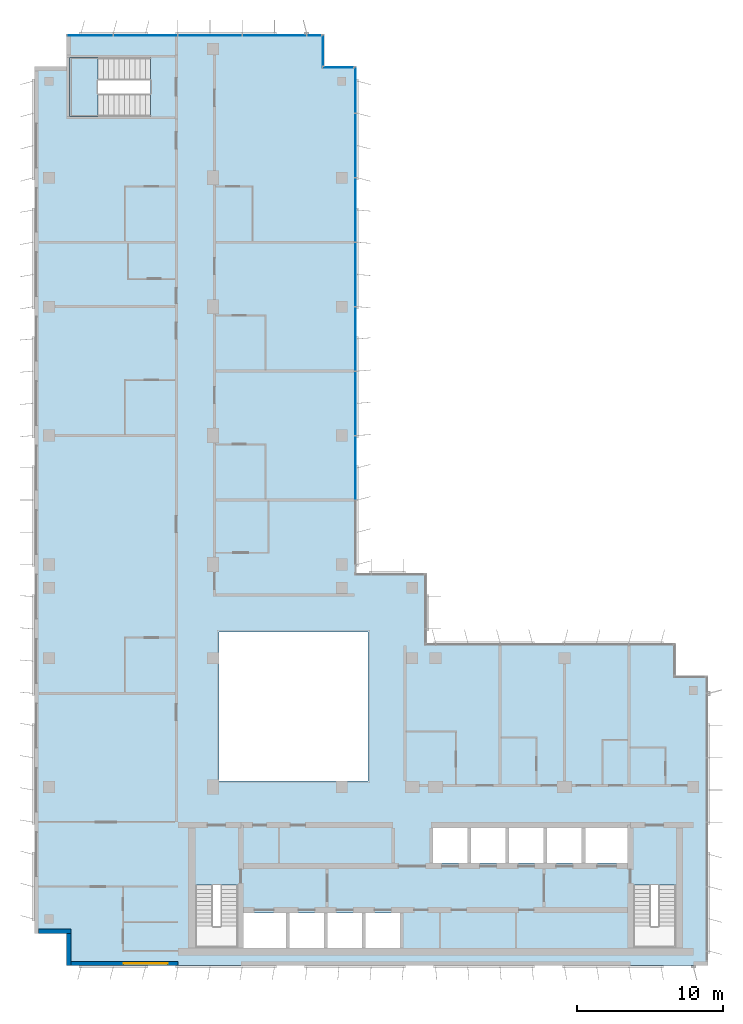
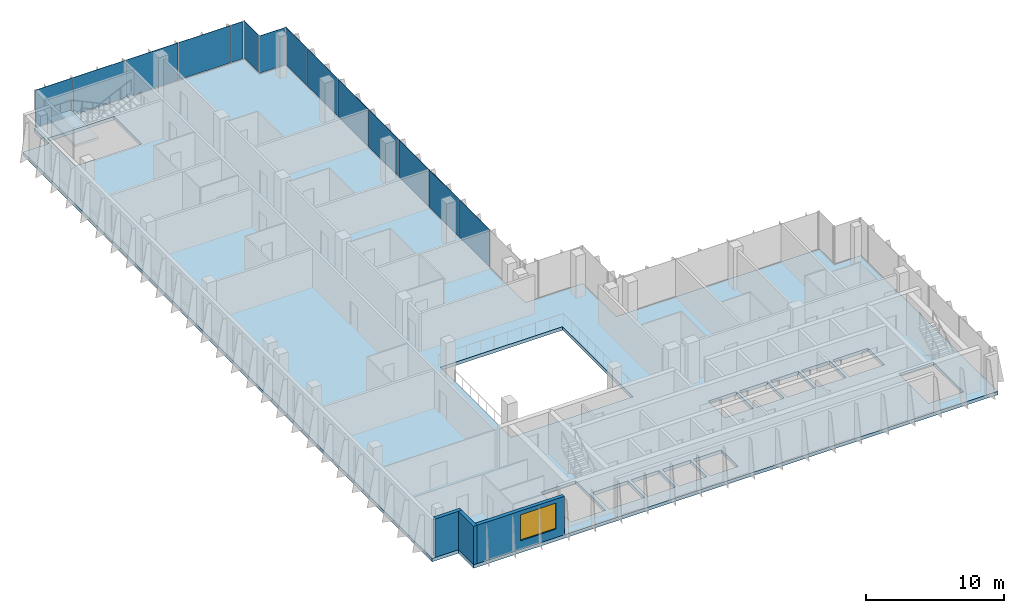
# One storey, part 8 of 15: 14 plates, 3 walls, 2 slabs, 1 window, 1 opening, 5 elements without a shape of their own.
"""IFC4 building model written with IfcOpenShell, lengths in metres."""

from ifc_helpers import new_model, si_unit, direction, frame, frame_2d, origin, origin_2d, place, context, subcontext, project, spatial, polyline, rectangle, outline, extrude, source, transform, mapped, material, layer, layer_set, type_object, element, fill, aggregate, save


model = new_model("IFC4")

# Units and contexts
model_context = context("Model", 3, precision=1e-05, world=origin(), true_north=direction((0.0, 1.0)))
body_context = subcontext(model_context, "Body", "Model", "MODEL_VIEW")
ifc_project = project(units=[si_unit("LENGTHUNIT", "METRE"), si_unit("AREAUNIT", "SQUARE_METRE"), si_unit("VOLUMEUNIT", "CUBIC_METRE"), si_unit("PLANEANGLEUNIT", "RADIAN"), si_unit("MASSUNIT", "GRAM", prefix="KILO")], contexts=[model_context])

# Site, building, storey
site_placement = place(None, origin())
site = spatial("IfcSite", under=ifc_project, at=site_placement, CompositionType="ELEMENT")
building_placement = place(site_placement, origin())
building = spatial("IfcBuilding", under=site, at=building_placement, Name="Kemantara Hotel Tower", CompositionType="ELEMENT")
storey_placement = place(building_placement, frame((0.0, 0.0, 290.699951171875)))
storey = spatial("IfcBuildingStorey", under=building, at=storey_placement, Name="L73", CompositionType="ELEMENT", Elevation=290.699951171875)

# Slab
ifc_material_1 = material(Name="Concrete fc 40 MPa", Category="concrete")
ifc_layer_1 = layer(ifc_material_1, 0.300048828125)
ifc_layer_set_1 = layer_set([ifc_layer_1], Name="Concrete fc 40 MPa")
slab_type_1 = type_object("IfcSlabType", Name="POST-TENSIONED FLAT PLATE 300", PredefinedType="FLOOR", material=ifc_layer_set_1)
slab_1_placement = place(storey_placement, frame((0.0, 0.0, -0.300048828125)))
element("IfcSlab", 1, at=slab_1_placement, inside=storey, type_object=slab_type_1, Name="FLOOR SLAB L73", PredefinedType="FLOOR", context=body_context, shape_type="SweptSolid", body=[
    extrude(outline(polyline([(22.0, 26.800048828125), (22.0, 61.39990234375), (19.800048828125, 61.39990234375), (19.800048828125, 63.60009765625), (2.199951171875, 63.60009765625), (2.199951171875, 61.39990234375), (0.0, 61.39990234375), (0.0, 2.199951171875), (2.199951171875, 2.199951171875), (2.199951171875, 0.0), (46.0, 0.0), (46.0, 19.800048828125), (43.800048828125, 19.800048828125), (43.800048828125, 22.0), (26.800048828125, 22.0), (26.800048828125, 26.800048828125), (22.0, 26.800048828125)]), holes=[polyline([(17.175048828125, 3.60009765625), (17.175048828125, 1.199951171875), (14.22509765625, 1.199951171875), (14.22509765625, 3.60009765625), (17.175048828125, 3.60009765625)]), polyline([(19.77490234375, 1.199951171875), (17.425048828125, 1.199951171875), (17.425048828125, 3.60009765625), (19.77490234375, 3.60009765625), (19.77490234375, 1.199951171875)]), polyline([(22.375, 1.199951171875), (20.02490234375, 1.199951171875), (20.02490234375, 3.60009765625), (22.375, 3.60009765625), (22.375, 1.199951171875)]), polyline([(24.97509765625, 3.60009765625), (24.97509765625, 1.199951171875), (22.625, 1.199951171875), (22.625, 3.60009765625), (24.97509765625, 3.60009765625)]), polyline([(11.0, 1.199951171875), (11.0, 5.49951171875), (13.89990234375, 5.49951171875), (13.89990234375, 1.199951171875), (11.0, 1.199951171875)]), polyline([(22.800048828125, 12.60009765625), (12.60009765625, 12.60009765625), (12.60009765625, 22.800048828125), (22.800048828125, 22.800048828125), (22.800048828125, 12.60009765625)]), polyline([(2.39990234375, 58.0), (2.39990234375, 62.0), (7.949462890625, 62.0), (7.949462890625, 58.0), (2.39990234375, 58.0)]), polyline([(40.89990234375, 1.199951171875), (40.89990234375, 5.49951171875), (43.800048828125, 5.49951171875), (43.800048828125, 1.199951171875), (40.89990234375, 1.199951171875)]), polyline([(29.574951171875, 7.0), (27.22509765625, 7.0), (27.22509765625, 9.39990234375), (29.574951171875, 9.39990234375), (29.574951171875, 7.0)]), polyline([(32.175048828125, 7.0), (29.824951171875, 7.0), (29.824951171875, 9.39990234375), (32.175048828125, 9.39990234375), (32.175048828125, 7.0)]), polyline([(34.77490234375, 7.0), (32.425048828125, 7.0), (32.425048828125, 9.39990234375), (34.77490234375, 9.39990234375), (34.77490234375, 7.0)]), polyline([(37.375, 7.0), (35.02490234375, 7.0), (35.02490234375, 9.39990234375), (37.375, 9.39990234375), (37.375, 7.0)]), polyline([(40.574951171875, 7.0), (37.625, 7.0), (37.625, 9.39990234375), (40.574951171875, 9.39990234375), (40.574951171875, 7.0)])]), origin(), (0.0, 0.0, 1.0), 0.300048828125),
])

# Stair, slab
stair_type = type_object("IfcStairType", Name="Stair 1550 wide 22 risers of 168 x 360 mm", PredefinedType="HALF_TURN_STAIR", material=ifc_material_1)
stair_placement = place(storey_placement, origin())
stair = element("IfcStair", 2, at=stair_placement, inside=storey, type_object=stair_type, Name="L73 Exit stair ST4", PredefinedType="HALF_TURN_STAIR")
ifc_layer_2 = layer(ifc_material_1, 0.199951171875)
ifc_layer_set_2 = layer_set([ifc_layer_2], Name="Concrete fc 40 MPa")
slab_type_2 = type_object("IfcSlabType", Name="Stair landing 200 mm", PredefinedType="LANDING", material=ifc_layer_set_2)
slab_2_placement = place(storey_placement, frame((0.0, 0.0, 1.650146484375)))
slab_2 = element("IfcSlab", 3, at=slab_2_placement, type_object=slab_type_2, Name="ST4 landing 1", PredefinedType="LANDING", context=body_context, shape_type="SweptSolid", body=[
    extrude(outline(polyline([(4.35009765625, 62.0), (2.39990234375, 62.0), (2.39990234375, 58.0), (4.35009765625, 58.0), (4.35009765625, 62.0)])), origin(), (0.0, 0.0, 1.0), 0.199951171875),
])
aggregate(stair, [slab_2])

# Curtain wall, plates
ifc_material_2 = material(Name="Low-E tinted double insulated glass 36 mm", Category="glass")
curtain_wall_type = type_object("IfcCurtainWallType", Name="TOWER CURTAIN WALL, FRONT FACES", PredefinedType="USERDEFINED", material=ifc_material_2)
curtain_wall_1_placement = place(storey_placement, origin())
curtain_wall_1 = element("IfcCurtainWall", 4, at=curtain_wall_1_placement, inside=storey, type_object=curtain_wall_type, Name="CW4 L73 T4-R02-1", ObjectType="TOWER CURTAIN WALL, FRONT FACES", PredefinedType="USERDEFINED")
ifc_layer_3 = layer(ifc_material_2, 0.035888671875)
ifc_layer_set_3 = layer_set([ifc_layer_3], Name="Low-E tinted double insulated glass 36 mm")
plate_type = type_object("IfcPlateType", Name="TOWER CURTAIN WALL, FRONT FACES PANEL", PredefinedType="CURTAIN_PANEL", material=ifc_layer_set_3)
shared_shape_1 = source(origin(), body_context, "Body", "SweptSolid", [
    extrude(rectangle(XDim=4.340087890625, YDim=0.035888671875, at=origin_2d()), origin(), (0.0, 0.0, 1.0), 3.280029296875),
])
plate_1_placement = place(storey_placement, frame((16.39990234375, 63.52490234375, 0.1201171875), z_axis=(0.0, 0.0, 1.0), x_axis=(-1.0, 0.0, 0.0)))
plate_1 = element("IfcPlate", 5, at=plate_1_placement, type_object=plate_type, Name="CW4 glass panel T4-R02-1.2", PredefinedType="CURTAIN_PANEL", context=body_context, shape_type="MappedRepresentation", body=[
    mapped(shared_shape_1, transform((0.0, 0.0, 0.0))),
])
plate_2_placement = place(storey_placement, frame((12.0, 63.52490234375, 0.1201171875), z_axis=(0.0, 0.0, 1.0), x_axis=(-1.0, 0.0, 0.0)))
plate_2 = element("IfcPlate", 6, at=plate_2_placement, type_object=plate_type, Name="CW4 glass panel T4-R02-1.3", PredefinedType="CURTAIN_PANEL", context=body_context, shape_type="MappedRepresentation", body=[
    mapped(shared_shape_1, transform((0.0, 0.0, 0.0))),
])
plate_3_placement = place(storey_placement, frame((7.60009765625, 63.52490234375, 0.1201171875), z_axis=(0.0, 0.0, 1.0), x_axis=(-1.0, 0.0, 0.0)))
plate_3 = element("IfcPlate", 7, at=plate_3_placement, type_object=plate_type, Name="CW4 glass panel T4-R02-1.4", PredefinedType="CURTAIN_PANEL", context=body_context, shape_type="MappedRepresentation", body=[
    mapped(shared_shape_1, transform((0.0, 0.0, 0.0))),
])

curtain_wall_2_placement = place(storey_placement, origin())
curtain_wall_2 = element("IfcCurtainWall", 8, at=curtain_wall_2_placement, inside=storey, type_object=curtain_wall_type, Name="CW4 L73 T4-R15-1", ObjectType="TOWER CURTAIN WALL, FRONT FACES", PredefinedType="USERDEFINED")
plate_4_placement = place(storey_placement, frame((21.925048828125, 34.0, 0.1201171875), z_axis=(0.0, 0.0, 1.0), x_axis=(0.0, 1.0, 0.0)))
plate_4 = element("IfcPlate", 9, at=plate_4_placement, type_object=plate_type, Name="CW4 glass panel T4-R15-1.3", PredefinedType="CURTAIN_PANEL", context=body_context, shape_type="MappedRepresentation", body=[
    mapped(shared_shape_1, transform((0.0, 0.0, 0.0))),
])
plate_5_placement = place(storey_placement, frame((21.925048828125, 38.39990234375, 0.1201171875), z_axis=(0.0, 0.0, 1.0), x_axis=(0.0, 1.0, 0.0)))
plate_5 = element("IfcPlate", 10, at=plate_5_placement, type_object=plate_type, Name="CW4 glass panel T4-R15-1.4", PredefinedType="CURTAIN_PANEL", context=body_context, shape_type="MappedRepresentation", body=[
    mapped(shared_shape_1, transform((0.0, 0.0, 0.0))),
])
plate_6_placement = place(storey_placement, frame((21.925048828125, 42.800048828125, 0.1201171875), z_axis=(0.0, 0.0, 1.0), x_axis=(0.0, 1.0, 0.0)))
plate_6 = element("IfcPlate", 11, at=plate_6_placement, type_object=plate_type, Name="CW4 glass panel T4-R15-1.5", PredefinedType="CURTAIN_PANEL", context=body_context, shape_type="MappedRepresentation", body=[
    mapped(shared_shape_1, transform((0.0, 0.0, 0.0))),
])
plate_7_placement = place(storey_placement, frame((21.925048828125, 47.199951171875, 0.1201171875), z_axis=(0.0, 0.0, 1.0), x_axis=(0.0, 1.0, 0.0)))
plate_7 = element("IfcPlate", 12, at=plate_7_placement, type_object=plate_type, Name="CW4 glass panel T4-R15-1.6", PredefinedType="CURTAIN_PANEL", context=body_context, shape_type="MappedRepresentation", body=[
    mapped(shared_shape_1, transform((0.0, 0.0, 0.0))),
])
plate_8_placement = place(storey_placement, frame((21.925048828125, 51.60009765625, 0.1201171875), z_axis=(0.0, 0.0, 1.0), x_axis=(0.0, 1.0, 0.0)))
plate_8 = element("IfcPlate", 13, at=plate_8_placement, type_object=plate_type, Name="CW4 glass panel T4-R15-1.7", PredefinedType="CURTAIN_PANEL", context=body_context, shape_type="MappedRepresentation", body=[
    mapped(shared_shape_1, transform((0.0, 0.0, 0.0))),
])
plate_9_placement = place(storey_placement, frame((21.925048828125, 56.0, 0.1201171875), z_axis=(0.0, 0.0, 1.0), x_axis=(0.0, 1.0, 0.0)))
plate_9 = element("IfcPlate", 14, at=plate_9_placement, type_object=plate_type, Name="CW4 glass panel T4-R15-1.8", PredefinedType="CURTAIN_PANEL", context=body_context, shape_type="MappedRepresentation", body=[
    mapped(shared_shape_1, transform((0.0, 0.0, 0.0))),
])

# Plate
shared_shape_2 = source(origin(), body_context, "Body", "SweptSolid", [
    extrude(rectangle(XDim=3.110107421875, YDim=0.035888671875, at=origin_2d()), origin(), (0.0, 0.0, 1.0), 3.280029296875),
])
plate_10_placement = place(storey_placement, frame((3.81494140625, 63.52490234375, 0.1201171875), z_axis=(0.0, 0.0, 1.0), x_axis=(-1.0, 0.0, 0.0)))
plate_10 = element("IfcPlate", 15, at=plate_10_placement, type_object=plate_type, Name="CW4 glass panel T4-R02-1.5", PredefinedType="CURTAIN_PANEL", context=body_context, shape_type="MappedRepresentation", body=[
    mapped(shared_shape_2, transform((0.0, 0.0, 0.0))),
])

plate_11_placement = place(storey_placement, frame((21.925048828125, 59.784912109375, 0.1201171875), z_axis=(0.0, 0.0, 1.0), x_axis=(0.0, 1.0, 0.0)))
plate_11 = element("IfcPlate", 16, at=plate_11_placement, type_object=plate_type, Name="CW4 glass panel T4-R15-1.9", PredefinedType="CURTAIN_PANEL", context=body_context, shape_type="MappedRepresentation", body=[
    mapped(shared_shape_2, transform((0.0, 0.0, 0.0))),
])

aggregate(curtain_wall_2, [plate_4, plate_5, plate_6, plate_7, plate_8, plate_9, plate_11])

# Curtain wall, plate
curtain_wall_3_placement = place(storey_placement, origin())
curtain_wall_3 = element("IfcCurtainWall", 17, at=curtain_wall_3_placement, inside=storey, type_object=curtain_wall_type, Name="CW4 L73 T4-R00-1", ObjectType="TOWER CURTAIN WALL, FRONT FACES", PredefinedType="USERDEFINED")
shared_shape_3 = source(origin(), body_context, "Body", "SweptSolid", [
    extrude(rectangle(XDim=2.080078125, YDim=0.035888671875, at=origin_2d()), origin(), (0.0, 0.0, 1.0), 3.280029296875),
])
plate_12_placement = place(storey_placement, frame((20.75, 61.324951171875, 0.1201171875), z_axis=(0.0, 0.0, 1.0), x_axis=(-1.0, 0.0, 0.0)))
plate_12 = element("IfcPlate", 18, at=plate_12_placement, type_object=plate_type, Name="CW4 glass panel T4-R00-1.1", PredefinedType="CURTAIN_PANEL", context=body_context, shape_type="MappedRepresentation", body=[
    mapped(shared_shape_3, transform((0.0, 0.0, 0.0))),
])
aggregate(curtain_wall_3, [plate_12])

curtain_wall_4_placement = place(storey_placement, origin())
curtain_wall_4 = element("IfcCurtainWall", 19, at=curtain_wall_4_placement, inside=storey, type_object=curtain_wall_type, Name="CW4 L73 T4-R01-1", ObjectType="TOWER CURTAIN WALL, FRONT FACES", PredefinedType="USERDEFINED")
plate_13_placement = place(storey_placement, frame((19.72509765625, 62.5, 0.1201171875), z_axis=(0.0, 0.0, 1.0), x_axis=(0.0, 1.0, 0.0)))
plate_13 = element("IfcPlate", 20, at=plate_13_placement, type_object=plate_type, Name="CW4 glass panel T4-R01-1.1", PredefinedType="CURTAIN_PANEL", context=body_context, shape_type="MappedRepresentation", body=[
    mapped(shared_shape_3, transform((0.0, 0.0, 0.0))),
])
aggregate(curtain_wall_4, [plate_13])

# Plate
shared_shape_4 = source(origin(), body_context, "Body", "SweptSolid", [
    extrude(rectangle(XDim=0.9599609375, YDim=0.035888671875, at=origin_2d()), origin(), (0.0, 0.0, 1.0), 3.280029296875),
])
plate_14_placement = place(storey_placement, frame((19.110107421875, 63.52490234375, 0.1201171875), z_axis=(0.0, 0.0, 1.0), x_axis=(-1.0, 0.0, 0.0)))
plate_14 = element("IfcPlate", 21, at=plate_14_placement, type_object=plate_type, Name="CW4 glass panel T4-R02-1.1", PredefinedType="CURTAIN_PANEL", context=body_context, shape_type="MappedRepresentation", body=[
    mapped(shared_shape_4, transform((0.0, 0.0, 0.0))),
])

aggregate(curtain_wall_1, [plate_14, plate_1, plate_2, plate_3, plate_10])

# Walls
ifc_material_3 = material(Name="Bronze anodised aluminium cladding on insulated steel stud wall", Category="steel")
ifc_layer_4 = layer(ifc_material_3, 0.300048828125)
ifc_layer_set_4 = layer_set([ifc_layer_4], Name="Bronze anodised aluminium cladding on insulated steel stud wall")
wall_type = type_object("IfcWallType", Name="BRONZE METAL-CLAD EXTERNAL WALL 300", PredefinedType="STANDARD", material=ifc_layer_set_4)
for number, where, z_axis, x_axis, name in (
    (22, (0.300048828125, 2.35009765625, 0.0), (0.0, 0.0, 1.0), (1.0, 0.0, 0.0), "EXTERNAL WALL L73 T4-R06"),
    (23, (2.35009765625, 2.199951171875, 0.0), (0.0, 0.0, 1.0), (0.0, -1.0, 0.0), "EXTERNAL WALL L73 T4-R07"),
):
    element("IfcWall", number, at=place(storey_placement, frame(where, z_axis=z_axis, x_axis=x_axis)), inside=storey, type_object=wall_type, Name=name, PredefinedType="STANDARD", context=body_context, shape_type="SweptSolid", body=[
        extrude(rectangle(XDim=2.199951171875, YDim=0.300048828125, at=frame_2d((1.10009765625, 0.0))), origin(), (0.0, 0.0, 1.0), 3.400146484375),
    ])

# Wall, opening, window
wall_placement = place(storey_placement, frame((2.5, 0.14990234375, 0.0), z_axis=(0.0, 0.0, 1.0), x_axis=(1.0, 0.0, 0.0)))
wall = element("IfcWall", 24, at=wall_placement, inside=storey, type_object=wall_type, Name="EXTERNAL WALL L73 T4-R08", PredefinedType="STANDARD", context=body_context, shape_type="SweptSolid", body=[
    extrude(rectangle(XDim=7.300048828125, YDim=0.300048828125, at=frame_2d((3.64990234375, 0.0))), origin(), (0.0, 0.0, 1.0), 3.400146484375),
])
opening_placement = place(wall_placement, frame((3.60009765625, 0.0, 0.75)))
opening = element("IfcOpeningElement", 25, at=opening_placement, cuts=wall, Name="Opening W1", PredefinedType="OPENING", context=body_context, shape_type="SweptSolid", body=[
    extrude(rectangle(XDim=3.0, YDim=2.300048828125, at=frame_2d((1.5, 1.14990234375))), frame((0.0, 0.159912109375, 0.0), z_axis=(0.0, -1.0, 0.0), x_axis=(1.0, 0.0, 0.0)), (0.0, 0.0, 1.0), 0.320068359375),
])
ifc_material_4 = material(Name="Low-E tinted double insulated glass in bronze anodised aluminium frame", Category="aluminium")
window_type = type_object("IfcWindowType", Name="CHICAGO WINDOW, TRIPLE PANEL 3000x2300", PartitioningType="TRIPLE_PANEL_VERTICAL", PredefinedType="WINDOW", material=ifc_material_4)
window_placement = place(opening_placement, origin())
window = element("IfcWindow", 26, at=window_placement, inside=storey, type_object=window_type, Name="CHICAGO WINDOW L73 T4-R08-54", OverallHeight=2.300048828125, OverallWidth=3.0, PartitioningType="SINGLE_PANEL", PredefinedType="WINDOW", context=body_context, shape_type="SweptSolid", body=[
    extrude(rectangle(XDim=3.0, YDim=2.300048828125, at=frame_2d((1.5, 1.14990234375))), frame((0.0, 0.030029296875, 0.0), z_axis=(0.0, -1.0, 0.0), x_axis=(1.0, 0.0, 0.0)), (0.0, 0.0, 1.0), 0.06005859375),
])
fill(opening, window)

save(model, "model.ifc")
